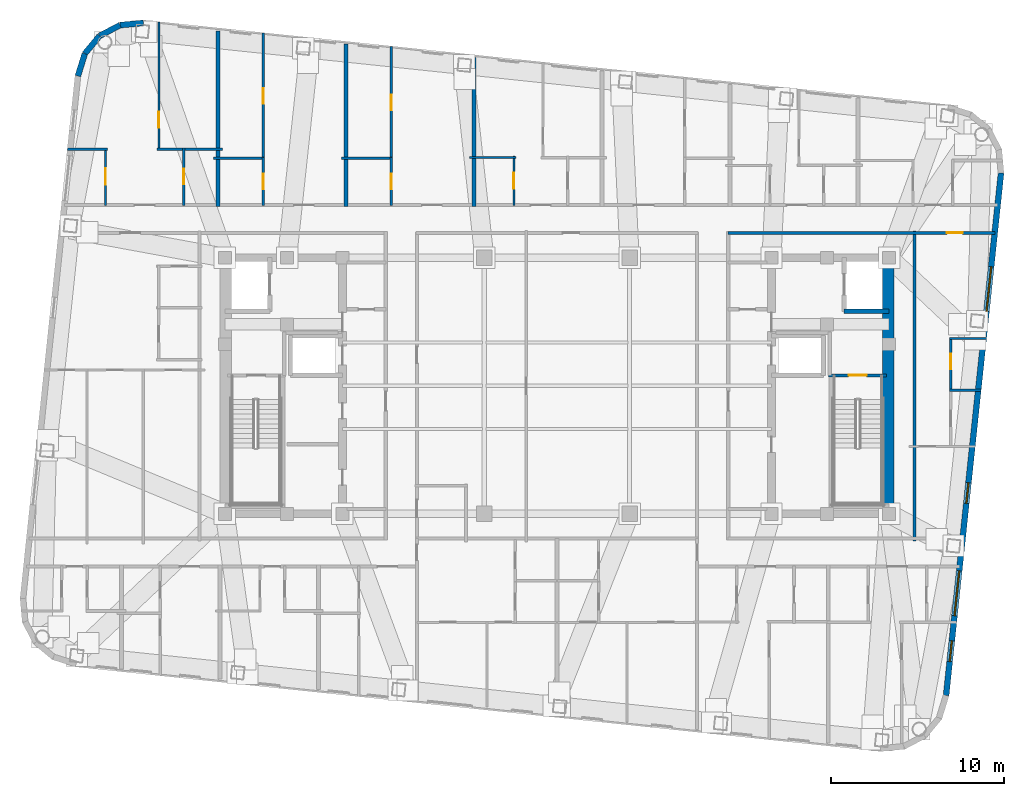
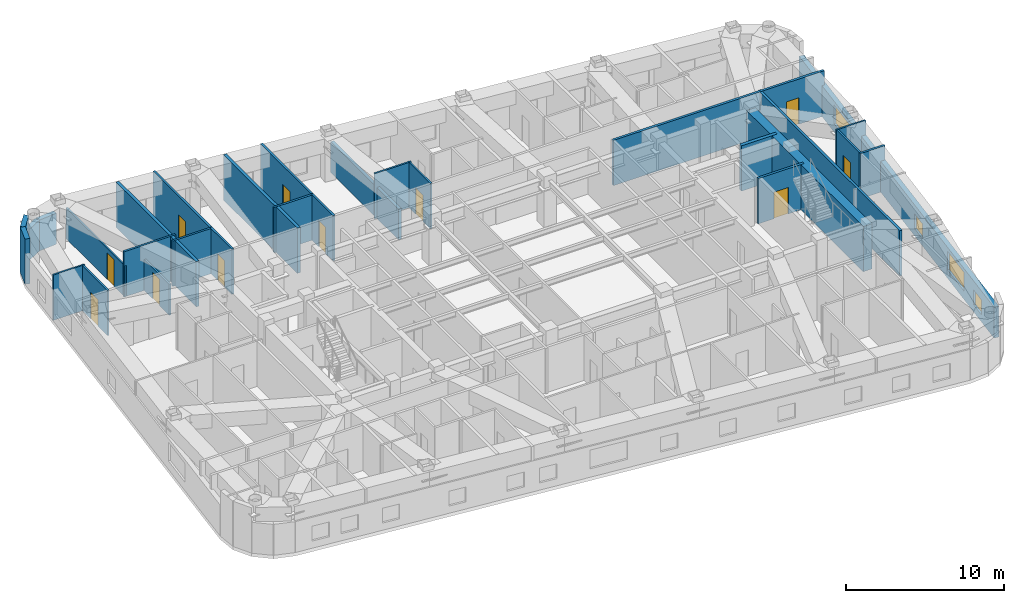
# One storey, part 8 of 12: 29 walls, 11 doors, 4 windows, 15 openings.
"""IFC4 building model written with IfcOpenShell, lengths in metres."""

from ifc_helpers import new_model, si_unit, direction, frame, frame_2d, origin, place, context, subcontext, project, spatial, rectangle, extrude, material, layer, layer_set, type_object, element, fill, save


model = new_model("IFC4")

# Units and contexts
model_context = context("Model", 3, precision=1e-05, world=origin(), true_north=direction((0.0, 1.0)))
body_context = subcontext(model_context, "Body", "Model", "MODEL_VIEW")
ifc_project = project(units=[si_unit("LENGTHUNIT", "METRE"), si_unit("AREAUNIT", "SQUARE_METRE"), si_unit("VOLUMEUNIT", "CUBIC_METRE"), si_unit("PLANEANGLEUNIT", "RADIAN"), si_unit("MASSUNIT", "GRAM", prefix="KILO")], contexts=[model_context])

# Site, building, storey
site_placement = place(None, origin())
site = spatial("IfcSite", under=ifc_project, at=site_placement, CompositionType="ELEMENT")
building_placement = place(site_placement, origin())
building = spatial("IfcBuilding", under=site, at=building_placement, Name="Voryun Gate Residences", CompositionType="ELEMENT")
storey_placement = place(building_placement, frame((0.0, 0.0, 306.800048828125)))
storey = spatial("IfcBuildingStorey", under=building, at=storey_placement, Name="L76", CompositionType="ELEMENT", Elevation=306.800048828125)

# Wall
ifc_material_1 = material(Name="Concrete C60/75", Category="concrete")
ifc_layer_1 = layer(ifc_material_1, 0.64990234375, Name="CW_CORE_650")
ifc_layer_set_1 = layer_set([ifc_layer_1], Name="Concrete C60/75")
wall_type_1 = type_object("IfcWallType", Name="CW_CORE_650", PredefinedType="SHEAR", material=ifc_layer_set_1)
wall_1_placement = place(storey_placement, frame((19.14501953125, -7.39990234375, 0.0), z_axis=(0.0, 0.0, 1.0), x_axis=(0.0, 1.0, 0.0)))
element("IfcWall", 1, at=wall_1_placement, inside=storey, type_object=wall_type_1, Name="L76 Core shear wall CW-L76-EE", PredefinedType="SHEAR", context=body_context, shape_type="SweptSolid", body=[
    extrude(rectangle(XDim=14.7998046875, YDim=0.64990234375, at=frame_2d((7.39990234375, 0.0))), origin(), (0.0, 0.0, 1.0), 3.5),
])

# Wall, opening, door
ifc_material_2 = material(Name="Gypsum acoustic fireboard")
ifc_layer_2 = layer(ifc_material_2, 0.179931640625, Name="W_CORR_RATED_180")
ifc_layer_set_2 = layer_set([ifc_layer_2], Name="Gypsum acoustic fireboard")
wall_type_2 = type_object("IfcWallType", Name="W_CORR_RATED_180", PredefinedType="PARTITIONING", material=ifc_layer_set_2)
wall_2_placement = place(storey_placement, frame((15.699951171875, 0.60009765625, 0.0), z_axis=(0.0, 0.0, 1.0), x_axis=(1.0, 0.0, 0.0)))
wall_2 = element("IfcWall", 2, at=wall_2_placement, inside=storey, type_object=wall_type_2, Name="Partition wall WP-L76-STV-E", PredefinedType="PARTITIONING", context=body_context, shape_type="SweptSolid", body=[
    extrude(rectangle(XDim=3.360107421875, YDim=0.179931640625, at=frame_2d((1.68017578125, 0.0))), origin(), (0.0, 0.0, 1.0), 3.5),
])
opening_1_placement = place(wall_2_placement, frame((1.155029296875, 0.0, 0.0)))
opening_1 = element("IfcOpeningElement", 3, at=opening_1_placement, cuts=wall_2, Name="Opening D-FD60-1", PredefinedType="OPENING", context=body_context, shape_type="SweptSolid", body=[
    extrude(rectangle(XDim=1.050048828125, YDim=2.050048828125, at=frame_2d((0.52490234375, 1.02490234375))), frame((0.0, 0.099853515625, 0.0), z_axis=(0.0, -1.0, 0.0), x_axis=(1.0, 0.0, 0.0)), (0.0, 0.0, 1.0), 0.199951171875),
])
ifc_material_3 = material(Name="Painted steel fire door", Category="steel")
door_type_1 = type_object("IfcDoorType", Name="DR_FD60_STAIR_1050", OperationType="NOTDEFINED", PredefinedType="DOOR", material=ifc_material_3)
door_1_placement = place(opening_1_placement, origin())
door_1 = element("IfcDoor", 4, at=door_1_placement, inside=storey, type_object=door_type_1, Name="Door DR-L76-ST-E", OperationType="SINGLE_SWING_RIGHT", OverallHeight=2.050048828125, OverallWidth=1.050048828125, PredefinedType="DOOR", context=body_context, shape_type="SweptSolid", body=[
    extrude(rectangle(XDim=1.050048828125, YDim=2.050048828125, at=frame_2d((0.52490234375, 1.02490234375))), frame((0.0, 0.02490234375, 0.0), z_axis=(0.0, -1.0, 0.0), x_axis=(1.0, 0.0, 0.0)), (0.0, 0.0, 1.0), 0.050048828125),
])
fill(opening_1, door_1)

wall_3_placement = place(storey_placement, frame((9.8798828125, 8.840087890625, 0.0), z_axis=(0.0, 0.0, 1.0), x_axis=(1.0, 0.0, 0.0)))
wall_3 = element("IfcWall", 5, at=wall_3_placement, inside=storey, type_object=wall_type_2, Name="Partition wall WP-L76-CWING-EN", PredefinedType="PARTITIONING", context=body_context, shape_type="SweptSolid", body=[
    extrude(rectangle(XDim=15.427001953125, YDim=0.179931640625, at=frame_2d((7.71337890625, 0.0))), origin(), (0.0, 0.0, 1.0), 3.5),
])
opening_2_placement = place(wall_3_placement, frame((12.662841796875, 0.0, 0.0)))
opening_2 = element("IfcOpeningElement", 6, at=opening_2_placement, cuts=wall_3, Name="Opening D-INT-2", PredefinedType="OPENING", context=body_context, shape_type="SweptSolid", body=[
    extrude(rectangle(XDim=0.89990234375, YDim=2.050048828125, at=frame_2d((0.449951171875, 1.02490234375))), frame((0.0, 0.099853515625, 0.0), z_axis=(0.0, -1.0, 0.0), x_axis=(1.0, 0.0, 0.0)), (0.0, 0.0, 1.0), 0.199951171875),
])
ifc_material_4 = material(Name="Architectural oak veneer")
door_type_2 = type_object("IfcDoorType", Name="DR_INT_BATH_900", OperationType="NOTDEFINED", PredefinedType="DOOR", material=ifc_material_4)
door_2_placement = place(opening_2_placement, origin())
door_2 = element("IfcDoor", 7, at=door_2_placement, inside=storey, type_object=door_type_2, Name="Door DR-L76-EE1N", OperationType="SINGLE_SWING_LEFT", OverallHeight=2.050048828125, OverallWidth=0.89990234375, PredefinedType="DOOR", context=body_context, shape_type="SweptSolid", body=[
    extrude(rectangle(XDim=0.89990234375, YDim=2.050048828125, at=frame_2d((0.449951171875, 1.02490234375))), frame((0.0, 0.02490234375, 0.0), z_axis=(0.0, -1.0, 0.0), x_axis=(1.0, 0.0, 0.0)), (0.0, 0.0, 1.0), 0.050048828125),
])
fill(opening_2, door_2)

# Walls
wall_4_placement = place(storey_placement, frame((20.669921875, -8.9599609375, 0.0), z_axis=(0.0, 0.0, 1.0), x_axis=(0.0, 1.0, 0.0)))
element("IfcWall", 8, at=wall_4_placement, inside=storey, type_object=wall_type_2, Name="Partition wall WP-L76-ECOR", PredefinedType="PARTITIONING", context=body_context, shape_type="SweptSolid", body=[
    extrude(rectangle(XDim=17.919921875, YDim=0.179931640625, at=frame_2d((8.9599609375, 0.0))), origin(), (0.0, 0.0, 1.0), 3.5),
])
ifc_material_5 = material(Name="Charcoal terracotta masonry", Category="masonry")
ifc_layer_3 = layer(ifc_material_5, 0.340087890625, Name="W_EXT_TERRACOTTA_340")
ifc_layer_set_3 = layer_set([ifc_layer_3], Name="Charcoal terracotta masonry")
wall_type_3 = type_object("IfcWallType", Name="W_EXT_TERRACOTTA_340", PredefinedType="ELEMENTEDWALL", material=ifc_layer_set_3)
wall_5_placement = place(storey_placement, frame((-27.69580078125, 17.904541015625, 0.0), z_axis=(0.0, 0.0, 1.0), x_axis=(0.296416228123, 0.955058856671, 0.0)))
element("IfcWall", 9, at=wall_5_placement, inside=storey, type_object=wall_type_3, Name="Exterior wall WEXT-L76-07", PredefinedType="ELEMENTEDWALL", context=body_context, shape_type="SweptSolid", body=[
    extrude(rectangle(XDim=1.35400390625, YDim=0.340087890625, at=frame_2d((0.677001953125, 0.0))), origin(), (0.0, 0.0, 1.0), 3.5),
])
wall_6_placement = place(storey_placement, frame((-27.29443359375, 19.19775390625, 0.0), z_axis=(0.0, 0.0, 1.0), x_axis=(0.639501603217, 0.768789762863, 0.0)))
element("IfcWall", 10, at=wall_6_placement, inside=storey, type_object=wall_type_3, Name="Exterior wall WEXT-L76-08", PredefinedType="ELEMENTEDWALL", context=body_context, shape_type="SweptSolid", body=[
    extrude(rectangle(XDim=1.3369140625, YDim=0.340087890625, at=frame_2d((0.66845703125, 0.0))), origin(), (0.0, 0.0, 1.0), 3.5),
])
wall_7_placement = place(storey_placement, frame((-26.439453125, 20.2255859375, 0.0), z_axis=(0.0, 0.0, 1.0), x_axis=(0.884922182678, 0.465738908193, 0.0)))
element("IfcWall", 11, at=wall_7_placement, inside=storey, type_object=wall_type_3, Name="Exterior wall WEXT-L76-09", PredefinedType="ELEMENTEDWALL", context=body_context, shape_type="SweptSolid", body=[
    extrude(rectangle(XDim=1.337158203125, YDim=0.340087890625, at=frame_2d((0.66845703125, 0.0))), origin(), (0.0, 0.0, 1.0), 2.389892578125),
])
wall_8_placement = place(storey_placement, frame((-25.256103515625, 20.848388671875, 0.0), z_axis=(0.0, 0.0, 1.0), x_axis=(0.995813013343, 0.091413579172, 0.0)))
element("IfcWall", 12, at=wall_8_placement, inside=storey, type_object=wall_type_3, Name="Exterior wall WEXT-L76-10", PredefinedType="ELEMENTEDWALL", context=body_context, shape_type="SweptSolid", body=[
    extrude(rectangle(XDim=1.35400390625, YDim=0.340087890625, at=frame_2d((0.677001953125, 0.0))), origin(), (0.0, 0.0, 1.0), 2.389892578125),
])

# Wall, openings, windows
wall_9_placement = place(storey_placement, frame((25.670166015625, 12.295654296875, 0.0), z_axis=(0.0, 0.0, 1.0), x_axis=(-0.104533282919, -0.994521388791, 0.0)))
wall_9 = element("IfcWall", 13, at=wall_9_placement, inside=storey, type_object=wall_type_3, Name="Exterior wall WEXT-L76-16", PredefinedType="ELEMENTEDWALL", context=body_context, shape_type="SweptSolid", body=[
    extrude(rectangle(XDim=30.366455078125, YDim=0.340087890625, at=frame_2d((15.18310546875, 0.0))), origin(), (0.0, 0.0, 1.0), 2.389892578125),
])
opening_3_placement = place(wall_9_placement, frame((5.441650390625, 0.0, 0.64990234375)))
opening_3 = element("IfcOpeningElement", 14, at=opening_3_placement, cuts=wall_9, Name="Opening WN4", PredefinedType="OPENING", context=body_context, shape_type="SweptSolid", body=[
    extrude(rectangle(XDim=2.60009765625, YDim=1.449951171875, at=frame_2d((1.300048828125, 0.72509765625))), frame((0.0, 0.179931640625, 0.0), z_axis=(0.0, -1.0, 0.0), x_axis=(1.0, 0.0, 0.0)), (0.0, 0.0, 1.0), 0.360107421875),
])
opening_4_placement = place(wall_9_placement, frame((23.125, 0.0, 0.64990234375)))
opening_4 = element("IfcOpeningElement", 15, at=opening_4_placement, cuts=wall_9, Name="Opening WN4", PredefinedType="OPENING", context=body_context, shape_type="SweptSolid", body=[
    extrude(rectangle(XDim=2.60009765625, YDim=1.449951171875, at=frame_2d((1.300048828125, 0.72509765625))), frame((0.0, 0.179931640625, 0.0), z_axis=(0.0, -1.0, 0.0), x_axis=(1.0, 0.0, 0.0)), (0.0, 0.0, 1.0), 0.360107421875),
])
opening_5_placement = place(wall_9_placement, frame((27.1923828125, 0.0, 0.550048828125)))
opening_5 = element("IfcOpeningElement", 16, at=opening_5_placement, cuts=wall_9, Name="Opening WN6", PredefinedType="OPENING", context=body_context, shape_type="SweptSolid", body=[
    extrude(rectangle(XDim=1.199951171875, YDim=1.14990234375, at=frame_2d((0.60009765625, 0.574951171875))), frame((0.0, 0.179931640625, 0.0), z_axis=(0.0, -1.0, 0.0), x_axis=(1.0, 0.0, 0.0)), (0.0, 0.0, 1.0), 0.360107421875),
])
opening_6_placement = place(wall_9_placement, frame((18.0048828125, 0.0, 0.550048828125)))
opening_6 = element("IfcOpeningElement", 17, at=opening_6_placement, cuts=wall_9, Name="Opening WN6", PredefinedType="OPENING", context=body_context, shape_type="SweptSolid", body=[
    extrude(rectangle(XDim=1.199951171875, YDim=1.14990234375, at=frame_2d((0.60009765625, 0.574951171875))), frame((0.0, 0.179931640625, 0.0), z_axis=(0.0, -1.0, 0.0), x_axis=(1.0, 0.0, 0.0)), (0.0, 0.0, 1.0), 0.360107421875),
])
ifc_material_6 = material(Name="Laminated low-E glass", Category="glass")
window_type_1 = type_object("IfcWindowType", Name="WN_PENT_TALL_2600", PartitioningType="SINGLE_PANEL", PredefinedType="WINDOW", material=ifc_material_6)
window_1_placement = place(opening_3_placement, origin())
window_1 = element("IfcWindow", 18, at=window_1_placement, inside=storey, type_object=window_type_1, Name="Window WN-WEXT-L76-16-01", OverallHeight=1.449951171875, OverallWidth=2.60009765625, PartitioningType="SINGLE_PANEL", PredefinedType="WINDOW", context=body_context, shape_type="SweptSolid", body=[
    extrude(rectangle(XDim=2.60009765625, YDim=1.449951171875, at=frame_2d((1.300048828125, 0.72509765625))), frame((0.0, 0.030029296875, 0.0), z_axis=(0.0, -1.0, 0.0), x_axis=(1.0, 0.0, 0.0)), (0.0, 0.0, 1.0), 0.06005859375),
])
fill(opening_3, window_1)
window_2_placement = place(opening_4_placement, origin())
window_2 = element("IfcWindow", 19, at=window_2_placement, inside=storey, type_object=window_type_1, Name="Window WN-WEXT-L76-16-02", OverallHeight=1.449951171875, OverallWidth=2.60009765625, PartitioningType="SINGLE_PANEL", PredefinedType="WINDOW", context=body_context, shape_type="SweptSolid", body=[
    extrude(rectangle(XDim=2.60009765625, YDim=1.449951171875, at=frame_2d((1.300048828125, 0.72509765625))), frame((0.0, 0.030029296875, 0.0), z_axis=(0.0, -1.0, 0.0), x_axis=(1.0, 0.0, 0.0)), (0.0, 0.0, 1.0), 0.06005859375),
])
fill(opening_4, window_2)
ifc_material_7 = material(Name="Laminated low-E glass", Category="glass")
window_type_2 = type_object("IfcWindowType", Name="WN_POD_SLOT_1200", PartitioningType="SINGLE_PANEL", PredefinedType="WINDOW", material=ifc_material_7)
window_3_placement = place(opening_5_placement, origin())
window_3 = element("IfcWindow", 20, at=window_3_placement, inside=storey, type_object=window_type_2, Name="Window WN-L76-DWFIX-21", OverallHeight=1.14990234375, OverallWidth=1.199951171875, PartitioningType="SINGLE_PANEL", PredefinedType="WINDOW", context=body_context, shape_type="SweptSolid", body=[
    extrude(rectangle(XDim=1.199951171875, YDim=1.14990234375, at=frame_2d((0.60009765625, 0.574951171875))), frame((0.0, 0.030029296875, 0.0), z_axis=(0.0, -1.0, 0.0), x_axis=(1.0, 0.0, 0.0)), (0.0, 0.0, 1.0), 0.06005859375),
])
fill(opening_5, window_3)
window_4_placement = place(opening_6_placement, origin())
window_4 = element("IfcWindow", 21, at=window_4_placement, inside=storey, type_object=window_type_2, Name="Window WN-L76-DWFIX-26", OverallHeight=1.14990234375, OverallWidth=1.199951171875, PartitioningType="SINGLE_PANEL", PredefinedType="WINDOW", context=body_context, shape_type="SweptSolid", body=[
    extrude(rectangle(XDim=1.199951171875, YDim=1.14990234375, at=frame_2d((0.60009765625, 0.574951171875))), frame((0.0, 0.030029296875, 0.0), z_axis=(0.0, -1.0, 0.0), x_axis=(1.0, 0.0, 0.0)), (0.0, 0.0, 1.0), 0.06005859375),
])
fill(opening_6, window_4)

# Walls
ifc_material_8 = material(Name="Concrete C40/50", Category="concrete")
ifc_layer_4 = layer(ifc_material_8, 0.219970703125, Name="W_PARTY_ACOUSTIC_220")
ifc_layer_set_4 = layer_set([ifc_layer_4], Name="Concrete C40/50")
wall_type_4 = type_object("IfcWallType", Name="W_PARTY_ACOUSTIC_220", PredefinedType="PARTITIONING", material=ifc_layer_set_4)
wall_10_placement = place(storey_placement, frame((-19.60009765625, 10.3701171875, 0.0), z_axis=(0.0, 0.0, 1.0), x_axis=(0.0, 1.0, 0.0)))
element("IfcWall", 22, at=wall_10_placement, inside=storey, type_object=wall_type_4, Name="Partition wall WP-L76-NPTY-1", PredefinedType="PARTITIONING", context=body_context, shape_type="SweptSolid", body=[
    extrude(rectangle(XDim=10.149169921875, YDim=0.219970703125, at=frame_2d((5.07470703125, 0.0))), origin(), (0.0, 0.0, 1.0), 3.5),
])
wall_11_placement = place(storey_placement, frame((-12.199951171875, 10.3701171875, 0.0), z_axis=(0.0, 0.0, 1.0), x_axis=(0.0, 1.0, 0.0)))
element("IfcWall", 23, at=wall_11_placement, inside=storey, type_object=wall_type_4, Name="Partition wall WP-L76-NPTY-2", PredefinedType="PARTITIONING", context=body_context, shape_type="SweptSolid", body=[
    extrude(rectangle(XDim=9.37158203125, YDim=0.219970703125, at=frame_2d((4.685791015625, 0.0))), origin(), (0.0, 0.0, 1.0), 3.5),
])
wall_12_placement = place(storey_placement, frame((-4.800048828125, 10.3701171875, 0.0), z_axis=(0.0, 0.0, 1.0), x_axis=(0.0, 1.0, 0.0)))
element("IfcWall", 24, at=wall_12_placement, inside=storey, type_object=wall_type_4, Name="Partition wall WP-L76-NPTY-3", PredefinedType="PARTITIONING", context=body_context, shape_type="SweptSolid", body=[
    extrude(rectangle(XDim=8.59375, YDim=0.219970703125, at=frame_2d((4.296875, 0.0))), origin(), (0.0, 0.0, 1.0), 2.389892578125),
])
ifc_material_9 = material(Name="Concrete C50/60", Category="concrete")
ifc_layer_5 = layer(ifc_material_9, 0.25, Name="W_SHAFT_RC250")
ifc_layer_set_5 = layer_set([ifc_layer_5], Name="Concrete C50/60")
wall_type_5 = type_object("IfcWallType", Name="W_SHAFT_RC250", PredefinedType="SOLIDWALL", material=ifc_layer_set_5)
wall_13_placement = place(storey_placement, frame((16.60009765625, 4.300048828125, 0.0), z_axis=(0.0, 0.0, 1.0), x_axis=(1.0, 0.0, 0.0)))
element("IfcWall", 25, at=wall_13_placement, inside=storey, type_object=wall_type_5, Name="Lift shaft wall WSH-L76-EL-FF-E1-S", PredefinedType="SOLIDWALL", context=body_context, shape_type="SweptSolid", body=[
    extrude(rectangle(XDim=2.599853515625, YDim=0.25, at=frame_2d((1.2998046875, 0.0))), origin(), (0.0, 0.0, 1.0), 3.5),
])

# Wall, opening, door
ifc_material_10 = material(Name="Gypsum acoustic partition")
ifc_layer_6 = layer(ifc_material_10, 0.125, Name="W_UNIT_PART_125")
ifc_layer_set_6 = layer_set([ifc_layer_6], Name="Gypsum acoustic partition")
wall_type_6 = type_object("IfcWallType", Name="W_UNIT_PART_125", PredefinedType="PARTITIONING", material=ifc_layer_set_6)
wall_14_placement = place(storey_placement, frame((-23.010009765625, 13.590087890625, 0.0), z_axis=(0.0, 0.0, 1.0), x_axis=(0.0, 1.0, 0.0)))
wall_14 = element("IfcWall", 26, at=wall_14_placement, inside=storey, type_object=wall_type_6, Name="Partition wall WP-L76-N1-OVR", PredefinedType="PARTITIONING", context=body_context, shape_type="SweptSolid", body=[
    extrude(rectangle(XDim=7.4384765625, YDim=0.125, at=frame_2d((3.71923828125, 0.0))), origin(), (0.0, 0.0, 1.0), 2.389892578125),
])
opening_7_placement = place(wall_14_placement, frame((1.335205078125, 0.0, 0.0)))
opening_7 = element("IfcOpeningElement", 27, at=opening_7_placement, cuts=wall_14, Name="Opening D-INT-2", PredefinedType="OPENING", context=body_context, shape_type="SweptSolid", body=[
    extrude(rectangle(XDim=0.89990234375, YDim=2.050048828125, at=frame_2d((0.449951171875, 1.02490234375))), frame((0.0, 0.072509765625, 0.0), z_axis=(0.0, -1.0, 0.0), x_axis=(1.0, 0.0, 0.0)), (0.0, 0.0, 1.0), 0.14501953125),
])
door_3_placement = place(opening_7_placement, origin())
door_3 = element("IfcDoor", 28, at=door_3_placement, inside=storey, type_object=door_type_2, Name="Door DR-L76-N1-DMB", OperationType="SINGLE_SWING_RIGHT", OverallHeight=2.050048828125, OverallWidth=0.89990234375, PredefinedType="DOOR", context=body_context, shape_type="SweptSolid", body=[
    extrude(rectangle(XDim=0.89990234375, YDim=2.050048828125, at=frame_2d((0.449951171875, 1.02490234375))), frame((0.0, 0.02490234375, 0.0), z_axis=(0.0, -1.0, 0.0), x_axis=(1.0, 0.0, 0.0)), (0.0, 0.0, 1.0), 0.050048828125),
])
fill(opening_7, door_3)

wall_15_placement = place(storey_placement, frame((-26.10107421875, 10.429931640625, 0.0), z_axis=(0.0, 0.0, 1.0), x_axis=(0.0, 1.0, 0.0)))
wall_15 = element("IfcWall", 29, at=wall_15_placement, inside=storey, type_object=wall_type_6, Name="Partition wall WP-L76-N1-IVK", PredefinedType="PARTITIONING", context=body_context, shape_type="SweptSolid", body=[
    extrude(rectangle(XDim=3.320068359375, YDim=0.125, at=frame_2d((1.66015625, 0.0))), origin(), (0.0, 0.0, 1.0), 3.5),
])
opening_8_placement = place(wall_15_placement, frame((1.18505859375, 0.0, 0.0)))
opening_8 = element("IfcOpeningElement", 30, at=opening_8_placement, cuts=wall_15, Name="Opening D-INT-1", PredefinedType="OPENING", context=body_context, shape_type="SweptSolid", body=[
    extrude(rectangle(XDim=0.949951171875, YDim=2.050048828125, at=frame_2d((0.47509765625, 1.02490234375))), frame((0.0, 0.072509765625, 0.0), z_axis=(0.0, -1.0, 0.0), x_axis=(1.0, 0.0, 0.0)), (0.0, 0.0, 1.0), 0.14501953125),
])
ifc_material_11 = material(Name="Architectural oak veneer")
door_type_3 = type_object("IfcDoorType", Name="DR_INT_ROOM_950", OperationType="NOTDEFINED", PredefinedType="DOOR", material=ifc_material_11)
door_4_placement = place(opening_8_placement, origin())
door_4 = element("IfcDoor", 31, at=door_4_placement, inside=storey, type_object=door_type_3, Name="Door DR-L76-N1-DK", OperationType="SINGLE_SWING_LEFT", OverallHeight=2.050048828125, OverallWidth=0.949951171875, PredefinedType="DOOR", context=body_context, shape_type="SweptSolid", body=[
    extrude(rectangle(XDim=0.949951171875, YDim=2.050048828125, at=frame_2d((0.47509765625, 1.02490234375))), frame((0.0, 0.02490234375, 0.0), z_axis=(0.0, -1.0, 0.0), x_axis=(1.0, 0.0, 0.0)), (0.0, 0.0, 1.0), 0.050048828125),
])
fill(opening_8, door_4)

# Wall
wall_16_placement = place(storey_placement, frame((-28.291748046875, 13.669921875, 0.0), z_axis=(0.0, 0.0, 1.0), x_axis=(1.0, 0.0, 0.0)))
element("IfcWall", 32, at=wall_16_placement, inside=storey, type_object=wall_type_6, Name="Partition wall WP-L76-N1-HZK", PredefinedType="PARTITIONING", context=body_context, shape_type="SweptSolid", body=[
    extrude(rectangle(XDim=2.310791015625, YDim=0.125, at=frame_2d((1.1552734375, 0.0))), origin(), (0.0, 0.0, 1.0), 3.5),
])

# Wall, opening, door
wall_17_placement = place(storey_placement, frame((-2.489990234375, 10.429931640625, 0.0), z_axis=(0.0, 0.0, 1.0), x_axis=(0.0, 1.0, 0.0)))
wall_17 = element("IfcWall", 33, at=wall_17_placement, inside=storey, type_object=wall_type_6, Name="Partition wall WP-L76-N4-IVK", PredefinedType="PARTITIONING", context=body_context, shape_type="SweptSolid", body=[
    extrude(rectangle(XDim=2.838134765625, YDim=0.125, at=frame_2d((1.4189453125, 0.0))), origin(), (0.0, 0.0, 1.0), 3.5),
])
opening_9_placement = place(wall_17_placement, frame((0.944091796875, 0.0, 0.0)))
opening_9 = element("IfcOpeningElement", 34, at=opening_9_placement, cuts=wall_17, Name="Opening D-INT-1", PredefinedType="OPENING", context=body_context, shape_type="SweptSolid", body=[
    extrude(rectangle(XDim=0.949951171875, YDim=2.050048828125, at=frame_2d((0.47509765625, 1.02490234375))), frame((0.0, 0.072509765625, 0.0), z_axis=(0.0, -1.0, 0.0), x_axis=(1.0, 0.0, 0.0)), (0.0, 0.0, 1.0), 0.14501953125),
])
door_5_placement = place(opening_9_placement, origin())
door_5 = element("IfcDoor", 35, at=door_5_placement, inside=storey, type_object=door_type_3, Name="Door DR-L76-N4-DK", OperationType="SINGLE_SWING_LEFT", OverallHeight=2.050048828125, OverallWidth=0.949951171875, PredefinedType="DOOR", context=body_context, shape_type="SweptSolid", body=[
    extrude(rectangle(XDim=0.949951171875, YDim=2.050048828125, at=frame_2d((0.47509765625, 1.02490234375))), frame((0.0, 0.02490234375, 0.0), z_axis=(0.0, -1.0, 0.0), x_axis=(1.0, 0.0, 0.0)), (0.0, 0.0, 1.0), 0.050048828125),
])
fill(opening_9, door_5)

# Walls
wall_18_placement = place(storey_placement, frame((-5.06005859375, 13.18798828125, 0.0), z_axis=(0.0, 0.0, 1.0), x_axis=(1.0, 0.0, 0.0)))
element("IfcWall", 36, at=wall_18_placement, inside=storey, type_object=wall_type_6, Name="Partition wall WP-L76-N4-HZK", PredefinedType="PARTITIONING", context=body_context, shape_type="SweptSolid", body=[
    extrude(rectangle(XDim=2.68994140625, YDim=0.125, at=frame_2d((1.344970703125, 0.0))), origin(), (0.0, 0.0, 1.0), 3.5),
])
wall_19_placement = place(storey_placement, frame((22.679931640625, 2.739990234375, 0.0), z_axis=(0.0, 0.0, 1.0), x_axis=(1.0, 0.0, 0.0)))
element("IfcWall", 37, at=wall_19_placement, inside=storey, type_object=wall_type_6, Name="Partition wall WP-L76-E1-HZ1", PredefinedType="PARTITIONING", context=body_context, shape_type="SweptSolid", body=[
    extrude(rectangle(XDim=2.13671875, YDim=0.125, at=frame_2d((1.068359375, 0.0))), origin(), (0.0, 0.0, 1.0), 3.5),
])
ifc_material_12 = material(Name="Gypsum moisture-resistant partition")
ifc_layer_7 = layer(ifc_material_12, 0.14990234375, Name="W_WET_PLUMB_150")
ifc_layer_set_7 = layer_set([ifc_layer_7], Name="Gypsum moisture-resistant partition")
wall_type_7 = type_object("IfcWallType", Name="W_WET_PLUMB_150", PredefinedType="PLUMBINGWALL", material=ifc_layer_set_7)
wall_20_placement = place(storey_placement, frame((-23.1298828125, 13.669921875, 0.0), z_axis=(0.0, 0.0, 1.0), x_axis=(1.0, 0.0, 0.0)))
element("IfcWall", 38, at=wall_20_placement, inside=storey, type_object=wall_type_7, Name="Partition wall WP-L76-N1-HZB", PredefinedType="PLUMBINGWALL", context=body_context, shape_type="SweptSolid", body=[
    extrude(rectangle(XDim=3.789794921875, YDim=0.14990234375, at=frame_2d((1.89501953125, 0.0))), origin(), (0.0, 0.0, 1.0), 3.5),
])

# Wall, opening, door
wall_21_placement = place(storey_placement, frame((-21.580078125, 10.429931640625, 0.0), z_axis=(0.0, 0.0, 1.0), x_axis=(0.0, 1.0, 0.0)))
wall_21 = element("IfcWall", 39, at=wall_21_placement, inside=storey, type_object=wall_type_7, Name="Partition wall WP-L76-N1-IVB", PredefinedType="PLUMBINGWALL", context=body_context, shape_type="SweptSolid", body=[
    extrude(rectangle(XDim=3.320068359375, YDim=0.14990234375, at=frame_2d((1.66015625, 0.0))), origin(), (0.0, 0.0, 1.0), 2.389892578125),
])
opening_10_placement = place(wall_21_placement, frame((1.2099609375, 0.0, 0.0)))
opening_10 = element("IfcOpeningElement", 40, at=opening_10_placement, cuts=wall_21, Name="Opening D-INT-2", PredefinedType="OPENING", context=body_context, shape_type="SweptSolid", body=[
    extrude(rectangle(XDim=0.89990234375, YDim=2.050048828125, at=frame_2d((0.449951171875, 1.02490234375))), frame((0.0, 0.0849609375, 0.0), z_axis=(0.0, -1.0, 0.0), x_axis=(1.0, 0.0, 0.0)), (0.0, 0.0, 1.0), 0.169921875),
])
door_6_placement = place(opening_10_placement, origin())
door_6 = element("IfcDoor", 41, at=door_6_placement, inside=storey, type_object=door_type_2, Name="Door DR-L76-N1-DB", OperationType="SINGLE_SWING_RIGHT", OverallHeight=2.050048828125, OverallWidth=0.89990234375, PredefinedType="DOOR", context=body_context, shape_type="SweptSolid", body=[
    extrude(rectangle(XDim=0.89990234375, YDim=2.050048828125, at=frame_2d((0.449951171875, 1.02490234375))), frame((0.0, 0.02490234375, 0.0), z_axis=(0.0, -1.0, 0.0), x_axis=(1.0, 0.0, 0.0)), (0.0, 0.0, 1.0), 0.050048828125),
])
fill(opening_10, door_6)

# Wall
wall_22_placement = place(storey_placement, frame((-19.860107421875, 13.14990234375, 0.0), z_axis=(0.0, 0.0, 1.0), x_axis=(1.0, 0.0, 0.0)))
element("IfcWall", 42, at=wall_22_placement, inside=storey, type_object=wall_type_7, Name="Partition wall WP-L76-N2-SKB", PredefinedType="PLUMBINGWALL", context=body_context, shape_type="SweptSolid", body=[
    extrude(rectangle(XDim=2.9501953125, YDim=0.14990234375, at=frame_2d((1.47509765625, 0.0))), origin(), (0.0, 0.0, 1.0), 3.5),
])

# Wall, opening, door
wall_23_placement = place(storey_placement, frame((-16.989990234375, 10.429931640625, 0.0), z_axis=(0.0, 0.0, 1.0), x_axis=(0.0, 1.0, 0.0)))
wall_23 = element("IfcWall", 43, at=wall_23_placement, inside=storey, type_object=wall_type_7, Name="Partition wall WP-L76-N2-SVT1", PredefinedType="PLUMBINGWALL", context=body_context, shape_type="SweptSolid", body=[
    extrude(rectangle(XDim=2.760009765625, YDim=0.14990234375, at=frame_2d((1.3798828125, 0.0))), origin(), (0.0, 0.0, 1.0), 3.5),
])
opening_11_placement = place(wall_23_placement, frame((0.929931640625, 0.0, 0.0)))
opening_11 = element("IfcOpeningElement", 44, at=opening_11_placement, cuts=wall_23, Name="Opening D-INT-2", PredefinedType="OPENING", context=body_context, shape_type="SweptSolid", body=[
    extrude(rectangle(XDim=0.89990234375, YDim=2.050048828125, at=frame_2d((0.449951171875, 1.02490234375))), frame((0.0, 0.0849609375, 0.0), z_axis=(0.0, -1.0, 0.0), x_axis=(1.0, 0.0, 0.0)), (0.0, 0.0, 1.0), 0.169921875),
])
door_7_placement = place(opening_11_placement, origin())
door_7 = element("IfcDoor", 45, at=door_7_placement, inside=storey, type_object=door_type_2, Name="Door DR-L76-N2-DB", OperationType="SINGLE_SWING_LEFT", OverallHeight=2.050048828125, OverallWidth=0.89990234375, PredefinedType="DOOR", context=body_context, shape_type="SweptSolid", body=[
    extrude(rectangle(XDim=0.89990234375, YDim=2.050048828125, at=frame_2d((0.449951171875, 1.02490234375))), frame((0.0, 0.02490234375, 0.0), z_axis=(0.0, -1.0, 0.0), x_axis=(1.0, 0.0, 0.0)), (0.0, 0.0, 1.0), 0.050048828125),
])
fill(opening_11, door_7)

wall_24_placement = place(storey_placement, frame((-16.989990234375, 13.110107421875, 0.0), z_axis=(0.0, 0.0, 1.0), x_axis=(0.0, 1.0, 0.0)))
wall_24 = element("IfcWall", 46, at=wall_24_placement, inside=storey, type_object=wall_type_7, Name="Partition wall WP-L76-N2-SVT2", PredefinedType="PLUMBINGWALL", context=body_context, shape_type="SweptSolid", body=[
    extrude(rectangle(XDim=7.285888671875, YDim=0.14990234375, at=frame_2d((3.64306640625, 0.0))), origin(), (0.0, 0.0, 1.0), 3.5),
])
opening_12_placement = place(wall_24_placement, frame((3.193115234375, 0.0, 0.0)))
opening_12 = element("IfcOpeningElement", 47, at=opening_12_placement, cuts=wall_24, Name="Opening D-INT-2", PredefinedType="OPENING", context=body_context, shape_type="SweptSolid", body=[
    extrude(rectangle(XDim=0.89990234375, YDim=2.050048828125, at=frame_2d((0.449951171875, 1.02490234375))), frame((0.0, 0.0849609375, 0.0), z_axis=(0.0, -1.0, 0.0), x_axis=(1.0, 0.0, 0.0)), (0.0, 0.0, 1.0), 0.169921875),
])
door_8_placement = place(opening_12_placement, origin())
door_8 = element("IfcDoor", 48, at=door_8_placement, inside=storey, type_object=door_type_2, Name="Door DR-L76-N2-DK", OperationType="SINGLE_SWING_RIGHT", OverallHeight=2.050048828125, OverallWidth=0.89990234375, PredefinedType="DOOR", context=body_context, shape_type="SweptSolid", body=[
    extrude(rectangle(XDim=0.89990234375, YDim=2.050048828125, at=frame_2d((0.449951171875, 1.02490234375))), frame((0.0, 0.02490234375, 0.0), z_axis=(0.0, -1.0, 0.0), x_axis=(1.0, 0.0, 0.0)), (0.0, 0.0, 1.0), 0.050048828125),
])
fill(opening_12, door_8)

# Wall
wall_25_placement = place(storey_placement, frame((-12.4599609375, 13.14990234375, 0.0), z_axis=(0.0, 0.0, 1.0), x_axis=(1.0, 0.0, 0.0)))
element("IfcWall", 49, at=wall_25_placement, inside=storey, type_object=wall_type_7, Name="Partition wall WP-L76-N3-SKB", PredefinedType="PLUMBINGWALL", context=body_context, shape_type="SweptSolid", body=[
    extrude(rectangle(XDim=2.949951171875, YDim=0.14990234375, at=frame_2d((1.47509765625, 0.0))), origin(), (0.0, 0.0, 1.0), 3.5),
])

# Wall, opening, door
wall_26_placement = place(storey_placement, frame((-9.590087890625, 10.429931640625, 0.0), z_axis=(0.0, 0.0, 1.0), x_axis=(0.0, 1.0, 0.0)))
wall_26 = element("IfcWall", 50, at=wall_26_placement, inside=storey, type_object=wall_type_7, Name="Partition wall WP-L76-N3-SVT1", PredefinedType="PLUMBINGWALL", context=body_context, shape_type="SweptSolid", body=[
    extrude(rectangle(XDim=2.760009765625, YDim=0.14990234375, at=frame_2d((1.3798828125, 0.0))), origin(), (0.0, 0.0, 1.0), 3.5),
])
opening_13_placement = place(wall_26_placement, frame((0.929931640625, 0.0, 0.0)))
opening_13 = element("IfcOpeningElement", 51, at=opening_13_placement, cuts=wall_26, Name="Opening D-INT-2", PredefinedType="OPENING", context=body_context, shape_type="SweptSolid", body=[
    extrude(rectangle(XDim=0.89990234375, YDim=2.050048828125, at=frame_2d((0.449951171875, 1.02490234375))), frame((0.0, 0.0849609375, 0.0), z_axis=(0.0, -1.0, 0.0), x_axis=(1.0, 0.0, 0.0)), (0.0, 0.0, 1.0), 0.169921875),
])
door_9_placement = place(opening_13_placement, origin())
door_9 = element("IfcDoor", 52, at=door_9_placement, inside=storey, type_object=door_type_2, Name="Door DR-L76-N3-DB", OperationType="SINGLE_SWING_LEFT", OverallHeight=2.050048828125, OverallWidth=0.89990234375, PredefinedType="DOOR", context=body_context, shape_type="SweptSolid", body=[
    extrude(rectangle(XDim=0.89990234375, YDim=2.050048828125, at=frame_2d((0.449951171875, 1.02490234375))), frame((0.0, 0.02490234375, 0.0), z_axis=(0.0, -1.0, 0.0), x_axis=(1.0, 0.0, 0.0)), (0.0, 0.0, 1.0), 0.050048828125),
])
fill(opening_13, door_9)

wall_27_placement = place(storey_placement, frame((-9.590087890625, 13.110107421875, 0.0), z_axis=(0.0, 0.0, 1.0), x_axis=(0.0, 1.0, 0.0)))
wall_27 = element("IfcWall", 53, at=wall_27_placement, inside=storey, type_object=wall_type_7, Name="Partition wall WP-L76-N3-SVT2", PredefinedType="PLUMBINGWALL", context=body_context, shape_type="SweptSolid", body=[
    extrude(rectangle(XDim=6.508056640625, YDim=0.14990234375, at=frame_2d((3.25390625, 0.0))), origin(), (0.0, 0.0, 1.0), 3.5),
])
opening_14_placement = place(wall_27_placement, frame((2.803955078125, 0.0, 0.0)))
opening_14 = element("IfcOpeningElement", 54, at=opening_14_placement, cuts=wall_27, Name="Opening D-INT-2", PredefinedType="OPENING", context=body_context, shape_type="SweptSolid", body=[
    extrude(rectangle(XDim=0.89990234375, YDim=2.050048828125, at=frame_2d((0.449951171875, 1.02490234375))), frame((0.0, 0.0849609375, 0.0), z_axis=(0.0, -1.0, 0.0), x_axis=(1.0, 0.0, 0.0)), (0.0, 0.0, 1.0), 0.169921875),
])
door_10_placement = place(opening_14_placement, origin())
door_10 = element("IfcDoor", 55, at=door_10_placement, inside=storey, type_object=door_type_2, Name="Door DR-L76-N3-DK", OperationType="SINGLE_SWING_RIGHT", OverallHeight=2.050048828125, OverallWidth=0.89990234375, PredefinedType="DOOR", context=body_context, shape_type="SweptSolid", body=[
    extrude(rectangle(XDim=0.89990234375, YDim=2.050048828125, at=frame_2d((0.449951171875, 1.02490234375))), frame((0.0, 0.02490234375, 0.0), z_axis=(0.0, -1.0, 0.0), x_axis=(1.0, 0.0, 0.0)), (0.0, 0.0, 1.0), 0.050048828125),
])
fill(opening_14, door_10)

# Wall
wall_28_placement = place(storey_placement, frame((22.679931640625, -0.260009765625, 0.0), z_axis=(0.0, 0.0, 1.0), x_axis=(1.0, 0.0, 0.0)))
element("IfcWall", 56, at=wall_28_placement, inside=storey, type_object=wall_type_7, Name="Partition wall WP-L76-E1-HZ2", PredefinedType="PLUMBINGWALL", context=body_context, shape_type="SweptSolid", body=[
    extrude(rectangle(XDim=1.8212890625, YDim=0.14990234375, at=frame_2d((0.91064453125, 0.0))), origin(), (0.0, 0.0, 1.0), 3.5),
])

# Wall, opening, door
wall_29_placement = place(storey_placement, frame((22.760009765625, -0.300048828125, 0.0), z_axis=(0.0, 0.0, 1.0), x_axis=(0.0, 1.0, 0.0)))
wall_29 = element("IfcWall", 57, at=wall_29_placement, inside=storey, type_object=wall_type_7, Name="Partition wall WP-L76-E1-VKB2", PredefinedType="PLUMBINGWALL", context=body_context, shape_type="SweptSolid", body=[
    extrude(rectangle(XDim=3.080078125, YDim=0.14990234375, at=frame_2d((1.5400390625, 0.0))), origin(), (0.0, 0.0, 1.0), 3.5),
])
opening_15_placement = place(wall_29_placement, frame((1.243896484375, 0.0, 0.0)))
opening_15 = element("IfcOpeningElement", 58, at=opening_15_placement, cuts=wall_29, Name="Opening D-INT-2", PredefinedType="OPENING", context=body_context, shape_type="SweptSolid", body=[
    extrude(rectangle(XDim=0.89990234375, YDim=2.050048828125, at=frame_2d((0.449951171875, 1.02490234375))), frame((0.0, 0.0849609375, 0.0), z_axis=(0.0, -1.0, 0.0), x_axis=(1.0, 0.0, 0.0)), (0.0, 0.0, 1.0), 0.169921875),
])
door_11_placement = place(opening_15_placement, origin())
door_11 = element("IfcDoor", 59, at=door_11_placement, inside=storey, type_object=door_type_2, Name="Door DR-L76-E1-DK", OperationType="SINGLE_SWING_RIGHT", OverallHeight=2.050048828125, OverallWidth=0.89990234375, PredefinedType="DOOR", context=body_context, shape_type="SweptSolid", body=[
    extrude(rectangle(XDim=0.89990234375, YDim=2.050048828125, at=frame_2d((0.449951171875, 1.02490234375))), frame((0.0, 0.02490234375, 0.0), z_axis=(0.0, -1.0, 0.0), x_axis=(1.0, 0.0, 0.0)), (0.0, 0.0, 1.0), 0.050048828125),
])
fill(opening_15, door_11)

save(model, "model.ifc")
